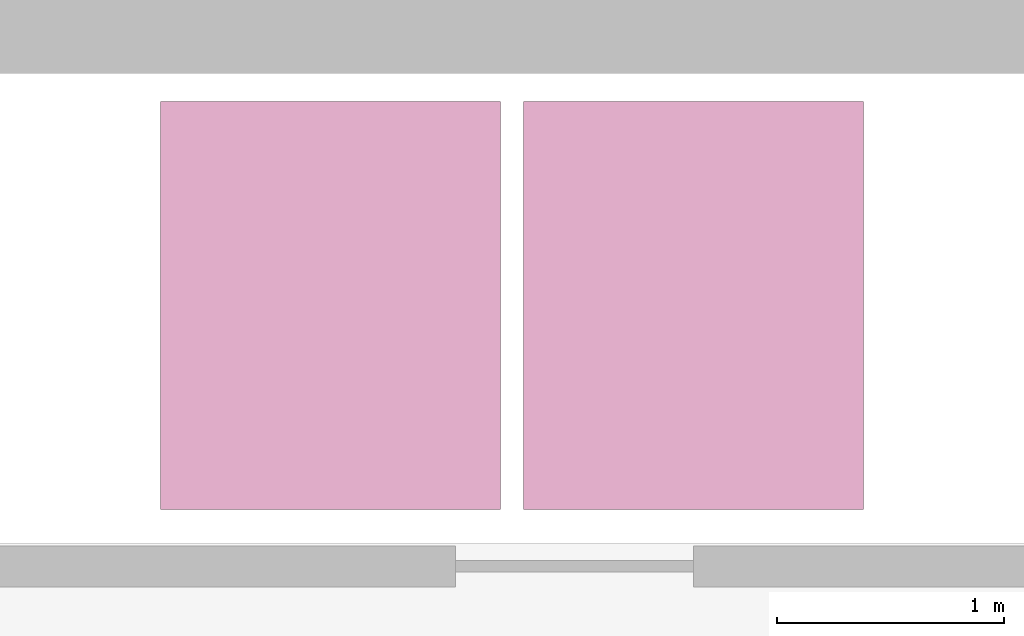
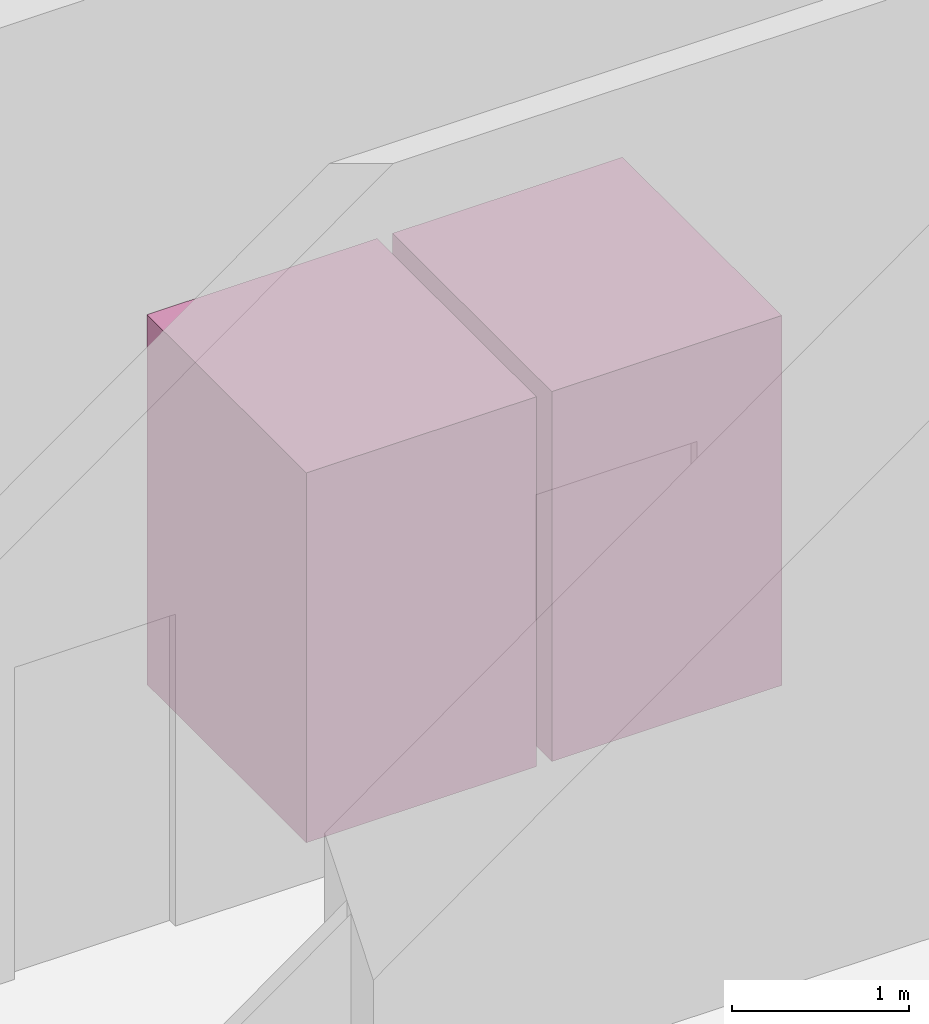
# One storey, part 34 of 34: 2 transport elements.
"""IFC4 building model written with IfcOpenShell, lengths in metres."""

import ifcopenshell
import ifcopenshell.guid

model = None  # the IFC model being written
_history = None  # IfcOwnerHistory: only IFC2X3 demands one
_inside = {}  # id of a spatial element -> (the spatial element, [elements in it])
_under = {}  # id of a project, library or spatial element -> (it, [spatial elements below it])
_declared = {}  # id of a project -> (the project, [libraries it declares])
_typed = {}  # id of a type object -> (the type object, [elements of that type])
_made_of = {}  # id of a material, layer set ... -> (it, [elements and type objects made of it])


def new_model(schema):
    """Start an empty IFC model of exactly this schema.

    Asked for "IFC4X3", IfcOpenShell would pick the latest addendum, in which some entities
    have other attributes; the version numbers below select the first issue.
    IFC2X3 requires an IfcOwnerHistory on every rooted entity: one is made here for all.
    """
    global model, _history
    if schema == "IFC4X3":
        model = ifcopenshell.file(schema_version=(4, 3, 0, 0))
    else:
        model = ifcopenshell.file(schema=schema)
    _inside.clear()
    _under.clear()
    _declared.clear()
    _typed.clear()
    _made_of.clear()
    _history = None
    if model.schema == "IFC2X3":
        org = make("IfcOrganization", Name="unknown")
        user = make(
            "IfcPersonAndOrganization",
            ThePerson=make("IfcPerson", FamilyName="unknown"),
            TheOrganization=org,
        )
        app = make(
            "IfcApplication",
            ApplicationDeveloper=org,
            Version="unknown",
            ApplicationFullName="unknown",
            ApplicationIdentifier="unknown",
        )
        _history = make(
            "IfcOwnerHistory",
            OwningUser=user,
            OwningApplication=app,
            ChangeAction="ADDED",
            CreationDate=0,
        )
    return model


def make(cls, **values):
    """One entity of the class cls with the attributes given. An attribute that is None is left unset."""
    return model.create_entity(
        cls, **{name: value for name, value in values.items() if value is not None}
    )


def rooted(cls, **values):
    """An entity with a GlobalId (a new one), such as an element, a storey or a relation."""
    return make(cls, GlobalId=ifcopenshell.guid.new(), OwnerHistory=_history, **values)


def si_unit(unit_type, name, prefix=None):
    """IfcSIUnit, for example si_unit("LENGTHUNIT", "METRE", prefix="MILLI")."""
    return make("IfcSIUnit", UnitType=unit_type, Prefix=prefix, Name=name)


def assignment(units):
    """IfcUnitAssignment: the units of a project."""
    return None if units is None else make("IfcUnitAssignment", Units=units)


def point(xyz):
    """IfcCartesianPoint."""
    return None if xyz is None else make("IfcCartesianPoint", Coordinates=xyz)


def direction(xyz):
    """IfcDirection."""
    return None if xyz is None else make("IfcDirection", DirectionRatios=xyz)


def frame(location, z_axis=None, x_axis=None):
    """IfcAxis2Placement3D, a coordinate frame: its origin and axes. An axis left out is left unset."""
    return make(
        "IfcAxis2Placement3D",
        Location=point(location),
        Axis=direction(z_axis),
        RefDirection=direction(x_axis),
    )


def frame_2d(location, x_axis=None):
    """IfcAxis2Placement2D, a coordinate frame in the plane: its origin and x axis."""
    return make(
        "IfcAxis2Placement2D", Location=point(location), RefDirection=direction(x_axis)
    )


def origin():
    """The frame at (0, 0, 0) with its axes left unset."""
    return frame((0.0, 0.0, 0.0))


def origin_2d():
    """The frame at (0, 0) in the plane with its x axis left unset."""
    return frame_2d((0.0, 0.0))


def place(relative_to, where):
    """IfcLocalPlacement: puts the frame where relative to a parent placement (None: the world)."""
    return make(
        "IfcLocalPlacement", PlacementRelTo=relative_to, RelativePlacement=where
    )


def context(
    kind, dimensions, precision=None, world=None, true_north=None, identifier=None
):
    """IfcGeometricRepresentationContext, for example the 3D "Model" context."""
    return make(
        "IfcGeometricRepresentationContext",
        ContextIdentifier=identifier,
        ContextType=kind,
        CoordinateSpaceDimension=dimensions,
        Precision=precision,
        WorldCoordinateSystem=world,
        TrueNorth=true_north,
    )


def subcontext(parent, identifier, kind, view, scale=None):
    """IfcGeometricRepresentationSubContext, for example "Body" below "Model"."""
    return make(
        "IfcGeometricRepresentationSubContext",
        ContextIdentifier=identifier,
        ContextType=kind,
        ParentContext=parent,
        TargetScale=scale,
        TargetView=view,
    )


def project(units=None, contexts=None):
    """IfcProject with its units and contexts."""
    return rooted(
        "IfcProject",
        Name="project",
        RepresentationContexts=contexts,
        UnitsInContext=assignment(units),
    )


def spatial(cls, under=None, at=None, **own):
    """A site, building, storey or space (cls), placed at a placement, below another one or the project."""
    s = rooted(cls, ObjectPlacement=at, **own)
    if under is not None:
        _under.setdefault(under.id(), (under, []))[1].append(s)
    return s


def profile(cls, at=None, kind="AREA", **sizes):
    """A parametric profile (cls). Its sizes go by their IFC names, for example OverallWidth=200.0."""
    return make(cls, ProfileType=kind, Position=at, **sizes)


def rectangle(**sizes):
    """IfcRectangleProfileDef."""
    return profile("IfcRectangleProfileDef", **sizes)


def extrude(swept, where, along, depth):
    """IfcExtrudedAreaSolid: the profile swept, set in the frame where, extruded along a direction by depth."""
    return make(
        "IfcExtrudedAreaSolid",
        SweptArea=swept,
        Position=where,
        ExtrudedDirection=direction(along),
        Depth=depth,
    )


def shape(context_of_items, identifier, shape_type, items):
    """IfcShapeRepresentation: the items that make up one representation, for example the "Body"."""
    return make(
        "IfcShapeRepresentation",
        ContextOfItems=context_of_items,
        RepresentationIdentifier=identifier,
        RepresentationType=shape_type,
        Items=items,
    )


def material(Name=None, Category=None):
    """IfcMaterial."""
    return make("IfcMaterial", Name=Name, Category=Category)


def made_of(thing, what):
    """Note that an element or type object is made of a material, layer set ...; save() writes the relation."""
    if what is not None:
        _made_of.setdefault(what.id(), (what, []))[1].append(thing)
    return thing


def type_object(cls, material=None, **own):
    """A type object (cls), such as IfcWallType, which elements share."""
    return made_of(rooted(cls, **own), material)


def element(
    cls,
    number,
    at=None,
    inside=None,
    cuts=None,
    type_object=None,
    material=None,
    context=None,
    identifier="Body",
    shape_type=None,
    held_by="IfcProductDefinitionShape",
    body=None,
    shapes=None,
    **own,
):
    """One element of the class cls, such as IfcWall. Its Tag is "e" and its number.

    at: its placement. inside: the storey or other place that contains it. cuts: it is an
    opening in that element (IfcRelVoidsElement). A single representation is given by context,
    identifier, shape_type and body (its items); several are given by shapes. held_by: the class
    of the entity that holds the representations. save() writes the other relations.
    """
    e = rooted(cls, Tag="e%d" % number, ObjectPlacement=at, **own)
    if body is not None:
        shapes = [shape(context, identifier, shape_type, body)]
    if shapes is not None:
        e.Representation = make(held_by, Representations=shapes)
    if inside is not None:
        _inside.setdefault(inside.id(), (inside, []))[1].append(e)
    if cuts is not None:
        rooted(
            "IfcRelVoidsElement", RelatingBuildingElement=cuts, RelatedOpeningElement=e
        )
    if type_object is not None:
        _typed.setdefault(type_object.id(), (type_object, []))[1].append(e)
    return made_of(e, material)


def aggregate(whole, parts):
    """IfcRelAggregates: a whole, such as a stair, and the parts it consists of."""
    return rooted("IfcRelAggregates", RelatingObject=whole, RelatedObjects=parts)


def save(model, path):
    """Write the relations noted so far, then the file.

    IfcRelAggregates (storeys below a building ...), IfcRelContainedInSpatialStructure (elements
    in a storey), IfcRelDefinesByType, IfcRelAssociatesMaterial and IfcRelDeclares: one each for
    every whole, place, type object, material and project.
    """
    for whole, parts in _under.values():
        aggregate(whole, parts)
    for where, things in _inside.values():
        rooted(
            "IfcRelContainedInSpatialStructure",
            RelatedElements=things,
            RelatingStructure=where,
        )
    for kind, things in _typed.values():
        rooted("IfcRelDefinesByType", RelatedObjects=things, RelatingType=kind)
    for what, things in _made_of.values():
        rooted("IfcRelAssociatesMaterial", RelatedObjects=things, RelatingMaterial=what)
    for by, libraries in _declared.values():
        rooted("IfcRelDeclares", RelatingContext=by, RelatedDefinitions=libraries)
    model.write(path)


model = new_model("IFC4")

# Units and contexts
model_context = context("Model", 3, precision=1e-05, world=origin(), true_north=direction((0.0, 1.0)))
body_context = subcontext(model_context, "Body", "Model", "MODEL_VIEW")
ifc_project = project(units=[si_unit("LENGTHUNIT", "METRE"), si_unit("AREAUNIT", "SQUARE_METRE"), si_unit("VOLUMEUNIT", "CUBIC_METRE"), si_unit("PLANEANGLEUNIT", "RADIAN"), si_unit("MASSUNIT", "GRAM", prefix="KILO")], contexts=[model_context])

# Site, building, storey
site_placement = place(None, origin())
site = spatial("IfcSite", under=ifc_project, at=site_placement, CompositionType="ELEMENT")
building_placement = place(site_placement, origin())
building = spatial("IfcBuilding", under=site, at=building_placement, Name="Caelvoria Tower", CompositionType="ELEMENT")
storey_placement = place(building_placement, frame((0.0, 0.0, 172.0)))
storey = spatial("IfcBuildingStorey", under=building, at=storey_placement, Name="L45", CompositionType="ELEMENT", Elevation=172.0)

# Transport elements
ifc_material = material(Name="Stainless Steel and Bronze Elevator Cab", Category="steel")
transport_element_type = type_object("IfcTransportElementType", Name="Passenger Zone Gearless Lift 1350kg", PredefinedType="ELEVATOR", material=ifc_material)
for number, where, z_axis, x_axis, name in (
    (1, (48.39990234375, 27.199951171875, 0.0), (0.0, 0.0, 1.0), (1.0, 0.0, 0.0), "Elevator PH-01"),
    (2, (50.0, 27.199951171875, 0.0), (0.0, 0.0, 1.0), (1.0, 0.0, 0.0), "Elevator PH-02"),
):
    element("IfcTransportElement", number, at=place(storey_placement, frame(where, z_axis=z_axis, x_axis=x_axis)), inside=storey, type_object=transport_element_type, Name=name, PredefinedType="ELEVATOR", context=body_context, shape_type="SweptSolid", body=[
        extrude(rectangle(XDim=1.5, YDim=1.800048828125, at=origin_2d()), origin(), (0.0, 0.0, 1.0), 2.550048828125),
    ])

save(model, "model.ifc")
